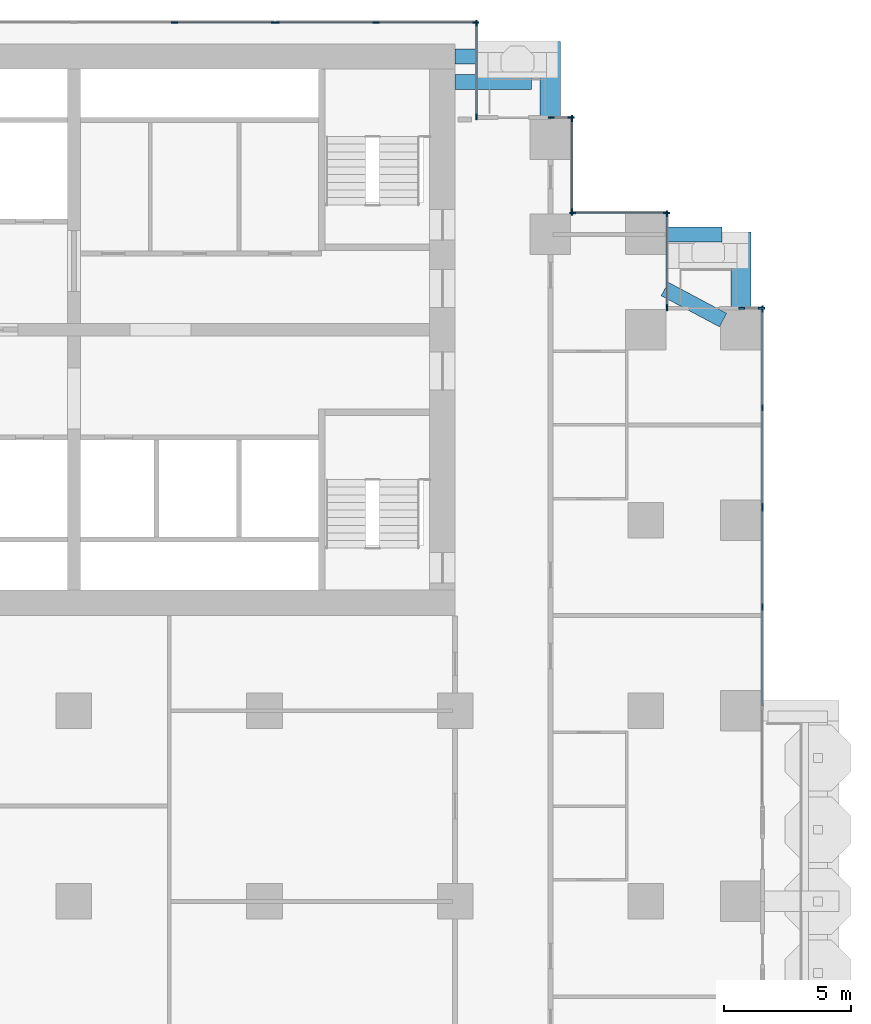
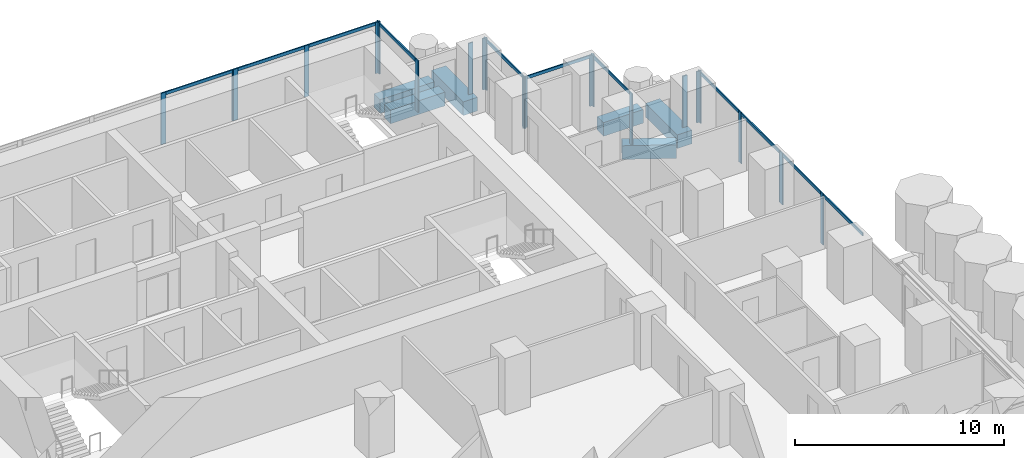
# One storey, part 5 of 17: 33 members, 6 beams, 10 elements without a shape of their own.
"""IFC4 building model written with IfcOpenShell, lengths in metres."""

from ifc_helpers import new_model, si_unit, direction, frame, origin, origin_2d, place, context, subcontext, project, spatial, rectangle, extrude, material, material_profile, profile_set, type_object, element, aggregate, save


model = new_model("IFC4")

# Units and contexts
model_context = context("Model", 3, precision=1e-05, world=origin(), true_north=direction((0.0, 1.0)))
body_context = subcontext(model_context, "Body", "Model", "MODEL_VIEW")
ifc_project = project(units=[si_unit("LENGTHUNIT", "METRE"), si_unit("AREAUNIT", "SQUARE_METRE"), si_unit("VOLUMEUNIT", "CUBIC_METRE"), si_unit("PLANEANGLEUNIT", "RADIAN"), si_unit("MASSUNIT", "GRAM", prefix="KILO")], contexts=[model_context])

# Site, building, storey
site_placement = place(None, origin())
site = spatial("IfcSite", under=ifc_project, at=site_placement, CompositionType="ELEMENT")
building_placement = place(site_placement, origin())
building = spatial("IfcBuilding", under=site, at=building_placement, Name="Pilkhan Gate Tower", CompositionType="ELEMENT")
storey_placement = place(building_placement, frame((0.0, 0.0, 49.39990234375)))
storey = spatial("IfcBuildingStorey", under=building, at=storey_placement, Name="L09", CompositionType="ELEMENT", Elevation=49.39990234375)

# Beams
ifc_material_1 = material(Name="Concrete C50/60", Category="concrete")
ifc_material_profile_1 = material_profile(ifc_material_1, rectangle(XDim=0.60009765625, YDim=0.800048828125, at=origin_2d()), Name="RC 600x800")
ifc_profile_set_1 = profile_set([ifc_material_profile_1], Name="Concrete C50/60")
beam_type_1 = type_object("IfcBeamType", Name="Cantilever beam CB1 RC 600x800 C50/60", PredefinedType="BEAM", material=ifc_profile_set_1)
for number, where, z_axis, x_axis, name in (
    (1, (90.0, 93.25, -0.699951171875), (1.0, 0.0, 0.0), (0.0, 1.0, 0.0), "Balcony beam NE.2 L09"),
    (2, (90.0, 92.25, -0.699951171875), (1.0, 0.0, 0.0), (0.0, 1.0, 0.0), "Balcony beam NE.3 L09"),
):
    element("IfcBeam", number, at=place(storey_placement, frame(where, z_axis=z_axis, x_axis=x_axis)), inside=storey, type_object=beam_type_1, Name=name, PredefinedType="BEAM", context=body_context, shape_type="SweptSolid", body=[
        extrude(rectangle(XDim=0.60009765625, YDim=0.800048828125, at=origin_2d()), origin(), (0.0, 0.0, 1.0), 3.0),
    ])
beam_1_placement = place(storey_placement, frame((98.300048828125, 86.25, -0.699951171875), z_axis=(1.0, 0.0, 0.0), x_axis=(0.0, 1.0, 0.0)))
element("IfcBeam", 3, at=beam_1_placement, inside=storey, type_object=beam_type_1, Name="Balcony beam NE2.2 L09", PredefinedType="BEAM", context=body_context, shape_type="SweptSolid", body=[
    extrude(rectangle(XDim=0.60009765625, YDim=0.800048828125, at=origin_2d()), origin(), (0.0, 0.0, 1.0), 2.199951171875),
])
beam_2_placement = place(storey_placement, frame((100.544189453125, 82.87646484375, -0.699951171875), z_axis=(-0.882342544151, 0.470607729199, 0.0), x_axis=(-0.470607729199, -0.882342544151, 0.0)))
element("IfcBeam", 4, at=beam_2_placement, inside=storey, type_object=beam_type_1, Name="Balcony beam NE2.3 L09", PredefinedType="BEAM", context=body_context, shape_type="SweptSolid", body=[
    extrude(rectangle(XDim=0.60009765625, YDim=0.800048828125, at=origin_2d()), origin(), (0.0, 0.0, 1.0), 2.60009765625),
])
ifc_material_profile_2 = material_profile(ifc_material_1, rectangle(XDim=0.800048828125, YDim=0.800048828125, at=origin_2d()), Name="RC 800x800")
ifc_profile_set_2 = profile_set([ifc_material_profile_2], Name="Concrete C50/60")
beam_type_2 = type_object("IfcBeamType", Name="Cantilever beam CB2 RC 800x800 C50/60", PredefinedType="BEAM", material=ifc_profile_set_2)
for number, where, z_axis, x_axis, name in (
    (5, (93.75, 90.800048828125, -0.699951171875), (0.0, 1.0, 0.0), (-1.0, 0.0, 0.0), "Balcony beam NE.1 L09"),
    (6, (101.25, 83.300048828125, -0.699951171875), (0.0, 1.0, 0.0), (-1.0, 0.0, 0.0), "Balcony beam NE2.1 L09"),
):
    element("IfcBeam", number, at=place(storey_placement, frame(where, z_axis=z_axis, x_axis=x_axis)), inside=storey, type_object=beam_type_2, Name=name, PredefinedType="BEAM", context=body_context, shape_type="SweptSolid", body=[
        extrude(rectangle(XDim=0.800048828125, YDim=0.800048828125, at=origin_2d()), origin(), (0.0, 0.0, 1.0), 3.050048828125),
    ])

# Curtain wall, members
ifc_material_2 = material(Name="Pale anodised aluminium, clear low-iron double glazing", Category="aluminium")
curtain_wall_type = type_object("IfcCurtainWallType", Name="Hotel unitised curtain wall CW-H", PredefinedType="USERDEFINED", material=ifc_material_2)
curtain_wall_1_placement = place(storey_placement, origin())
curtain_wall_1 = element("IfcCurtainWall", 7, at=curtain_wall_1_placement, inside=storey, type_object=curtain_wall_type, Name="Hotel unitised curtain wall CW-H L09 E", ObjectType="UNITISED CURTAIN WALL", PredefinedType="USERDEFINED")
ifc_material_3 = material(Name="Pale anodised aluminium", Category="aluminium")
ifc_material_profile_3 = material_profile(ifc_material_3, rectangle(XDim=0.06494140625, YDim=0.25, at=origin_2d()), Name="Mullion 250x65")
ifc_profile_set_3 = profile_set([ifc_material_profile_3], Name="Pale anodised aluminium")
member_type_1 = type_object("IfcMemberType", Name="Mullion CW-H 250x65", PredefinedType="MULLION", material=ifc_profile_set_3)
member_1_placement = place(storey_placement, frame((102.094970703125, 71.587890625, 0.0), z_axis=(0.0, 0.0, 1.0), x_axis=(-1.0, 0.0, 0.0)))
member_1 = element("IfcMember", 8, at=member_1_placement, type_object=member_type_1, Name="CW-H mullion 3", PredefinedType="MULLION", context=body_context, shape_type="SweptSolid", body=[
    extrude(rectangle(XDim=0.06494140625, YDim=0.25, at=origin_2d()), origin(), (0.0, 0.0, 1.0), 3.0),
])
member_2_placement = place(storey_placement, frame((102.094970703125, 75.474609375, 0.0), z_axis=(0.0, 0.0, 1.0), x_axis=(-1.0, 0.0, 0.0)))
member_2 = element("IfcMember", 9, at=member_2_placement, type_object=member_type_1, Name="CW-H mullion 4", PredefinedType="MULLION", context=body_context, shape_type="SweptSolid", body=[
    extrude(rectangle(XDim=0.06494140625, YDim=0.25, at=origin_2d()), origin(), (0.0, 0.0, 1.0), 3.0),
])

curtain_wall_2_placement = place(storey_placement, origin())
curtain_wall_2 = element("IfcCurtainWall", 10, at=curtain_wall_2_placement, inside=storey, type_object=curtain_wall_type, Name="Hotel unitised curtain wall CW-H L09 E", ObjectType="UNITISED CURTAIN WALL", PredefinedType="USERDEFINED")
member_3_placement = place(storey_placement, frame((102.094970703125, 75.53955078125, 0.0), z_axis=(0.0, 0.0, 1.0), x_axis=(-1.0, 0.0, 0.0)))
member_3 = element("IfcMember", 11, at=member_3_placement, type_object=member_type_1, Name="CW-H mullion 1", PredefinedType="MULLION", context=body_context, shape_type="SweptSolid", body=[
    extrude(rectangle(XDim=0.06494140625, YDim=0.25, at=origin_2d()), origin(), (0.0, 0.0, 1.0), 3.0),
])
member_4_placement = place(storey_placement, frame((102.094970703125, 79.426025390625, 0.0), z_axis=(0.0, 0.0, 1.0), x_axis=(-1.0, 0.0, 0.0)))
member_4 = element("IfcMember", 12, at=member_4_placement, type_object=member_type_1, Name="CW-H mullion 2", PredefinedType="MULLION", context=body_context, shape_type="SweptSolid", body=[
    extrude(rectangle(XDim=0.06494140625, YDim=0.25, at=origin_2d()), origin(), (0.0, 0.0, 1.0), 3.0),
])
member_5_placement = place(storey_placement, frame((102.094970703125, 83.3125, 0.0), z_axis=(0.0, 0.0, 1.0), x_axis=(-1.0, 0.0, 0.0)))
member_5 = element("IfcMember", 13, at=member_5_placement, type_object=member_type_1, Name="CW-H mullion 3", PredefinedType="MULLION", context=body_context, shape_type="SweptSolid", body=[
    extrude(rectangle(XDim=0.06494140625, YDim=0.25, at=origin_2d()), origin(), (0.0, 0.0, 1.0), 3.0),
])

curtain_wall_3_placement = place(storey_placement, origin())
curtain_wall_3 = element("IfcCurtainWall", 14, at=curtain_wall_3_placement, inside=storey, type_object=curtain_wall_type, Name="Hotel unitised curtain wall CW-H L09 N", ObjectType="UNITISED CURTAIN WALL", PredefinedType="USERDEFINED")
member_6_placement = place(storey_placement, frame((101.282470703125, 83.344970703125, 0.0), z_axis=(0.0, 0.0, 1.0), x_axis=(0.0, 1.0, 0.0)))
member_6 = element("IfcMember", 15, at=member_6_placement, type_object=member_type_1, Name="CW-H mullion 1", PredefinedType="MULLION", context=body_context, shape_type="SweptSolid", body=[
    extrude(rectangle(XDim=0.06494140625, YDim=0.25, at=origin_2d()), origin(), (0.0, 0.0, 1.0), 3.0),
])
member_7_placement = place(storey_placement, frame((102.0625, 83.344970703125, 0.0), z_axis=(0.0, 0.0, 1.0), x_axis=(0.0, 1.0, 0.0)))
member_7 = element("IfcMember", 16, at=member_7_placement, type_object=member_type_1, Name="CW-H mullion 2", PredefinedType="MULLION", context=body_context, shape_type="SweptSolid", body=[
    extrude(rectangle(XDim=0.06494140625, YDim=0.25, at=origin_2d()), origin(), (0.0, 0.0, 1.0), 3.0),
])
aggregate(curtain_wall_3, [member_6, member_7])

curtain_wall_4_placement = place(storey_placement, origin())
curtain_wall_4 = element("IfcCurtainWall", 17, at=curtain_wall_4_placement, inside=storey, type_object=curtain_wall_type, Name="Hotel unitised curtain wall CW-H L09 E", ObjectType="UNITISED CURTAIN WALL", PredefinedType="USERDEFINED")
member_8_placement = place(storey_placement, frame((98.344970703125, 83.37744140625, 0.0), z_axis=(0.0, 0.0, 1.0), x_axis=(-1.0, 0.0, 0.0)))
member_8 = element("IfcMember", 18, at=member_8_placement, type_object=member_type_1, Name="CW-H mullion 1", PredefinedType="MULLION", context=body_context, shape_type="SweptSolid", body=[
    extrude(rectangle(XDim=0.06494140625, YDim=0.25, at=origin_2d()), origin(), (0.0, 0.0, 1.0), 3.0),
])
member_9_placement = place(storey_placement, frame((98.344970703125, 87.0625, 0.0), z_axis=(0.0, 0.0, 1.0), x_axis=(-1.0, 0.0, 0.0)))
member_9 = element("IfcMember", 19, at=member_9_placement, type_object=member_type_1, Name="CW-H mullion 2", PredefinedType="MULLION", context=body_context, shape_type="SweptSolid", body=[
    extrude(rectangle(XDim=0.06494140625, YDim=0.25, at=origin_2d()), origin(), (0.0, 0.0, 1.0), 3.0),
])

curtain_wall_5_placement = place(storey_placement, origin())
curtain_wall_5 = element("IfcCurtainWall", 20, at=curtain_wall_5_placement, inside=storey, type_object=curtain_wall_type, Name="Hotel unitised curtain wall CW-H L09 N", ObjectType="UNITISED CURTAIN WALL", PredefinedType="USERDEFINED")
member_10_placement = place(storey_placement, frame((94.62744140625, 87.094970703125, 0.0), z_axis=(0.0, 0.0, 1.0), x_axis=(0.0, 1.0, 0.0)))
member_10 = element("IfcMember", 21, at=member_10_placement, type_object=member_type_1, Name="CW-H mullion 1", PredefinedType="MULLION", context=body_context, shape_type="SweptSolid", body=[
    extrude(rectangle(XDim=0.06494140625, YDim=0.25, at=origin_2d()), origin(), (0.0, 0.0, 1.0), 3.0),
])
member_11_placement = place(storey_placement, frame((98.3125, 87.094970703125, 0.0), z_axis=(0.0, 0.0, 1.0), x_axis=(0.0, 1.0, 0.0)))
member_11 = element("IfcMember", 22, at=member_11_placement, type_object=member_type_1, Name="CW-H mullion 2", PredefinedType="MULLION", context=body_context, shape_type="SweptSolid", body=[
    extrude(rectangle(XDim=0.06494140625, YDim=0.25, at=origin_2d()), origin(), (0.0, 0.0, 1.0), 3.0),
])

curtain_wall_6_placement = place(storey_placement, origin())
curtain_wall_6 = element("IfcCurtainWall", 23, at=curtain_wall_6_placement, inside=storey, type_object=curtain_wall_type, Name="Hotel unitised curtain wall CW-H L09 E", ObjectType="UNITISED CURTAIN WALL", PredefinedType="USERDEFINED")
member_12_placement = place(storey_placement, frame((94.594970703125, 87.12744140625, 0.0), z_axis=(0.0, 0.0, 1.0), x_axis=(-1.0, 0.0, 0.0)))
member_12 = element("IfcMember", 24, at=member_12_placement, type_object=member_type_1, Name="CW-H mullion 1", PredefinedType="MULLION", context=body_context, shape_type="SweptSolid", body=[
    extrude(rectangle(XDim=0.06494140625, YDim=0.25, at=origin_2d()), origin(), (0.0, 0.0, 1.0), 3.0),
])
member_13_placement = place(storey_placement, frame((94.594970703125, 90.8125, 0.0), z_axis=(0.0, 0.0, 1.0), x_axis=(-1.0, 0.0, 0.0)))
member_13 = element("IfcMember", 25, at=member_13_placement, type_object=member_type_1, Name="CW-H mullion 2", PredefinedType="MULLION", context=body_context, shape_type="SweptSolid", body=[
    extrude(rectangle(XDim=0.06494140625, YDim=0.25, at=origin_2d()), origin(), (0.0, 0.0, 1.0), 3.0),
])

curtain_wall_7_placement = place(storey_placement, origin())
curtain_wall_7 = element("IfcCurtainWall", 26, at=curtain_wall_7_placement, inside=storey, type_object=curtain_wall_type, Name="Hotel unitised curtain wall CW-H L09 N", ObjectType="UNITISED CURTAIN WALL", PredefinedType="USERDEFINED")
member_14_placement = place(storey_placement, frame((93.782470703125, 90.844970703125, 0.0), z_axis=(0.0, 0.0, 1.0), x_axis=(0.0, 1.0, 0.0)))
member_14 = element("IfcMember", 27, at=member_14_placement, type_object=member_type_1, Name="CW-H mullion 1", PredefinedType="MULLION", context=body_context, shape_type="SweptSolid", body=[
    extrude(rectangle(XDim=0.06494140625, YDim=0.25, at=origin_2d()), origin(), (0.0, 0.0, 1.0), 3.0),
])
member_15_placement = place(storey_placement, frame((94.5625, 90.844970703125, 0.0), z_axis=(0.0, 0.0, 1.0), x_axis=(0.0, 1.0, 0.0)))
member_15 = element("IfcMember", 28, at=member_15_placement, type_object=member_type_1, Name="CW-H mullion 2", PredefinedType="MULLION", context=body_context, shape_type="SweptSolid", body=[
    extrude(rectangle(XDim=0.06494140625, YDim=0.25, at=origin_2d()), origin(), (0.0, 0.0, 1.0), 3.0),
])
aggregate(curtain_wall_7, [member_14, member_15])

curtain_wall_8_placement = place(storey_placement, origin())
curtain_wall_8 = element("IfcCurtainWall", 29, at=curtain_wall_8_placement, inside=storey, type_object=curtain_wall_type, Name="Hotel unitised curtain wall CW-H L09 E", ObjectType="UNITISED CURTAIN WALL", PredefinedType="USERDEFINED")
member_16_placement = place(storey_placement, frame((90.844970703125, 90.87744140625, 0.0), z_axis=(0.0, 0.0, 1.0), x_axis=(-1.0, 0.0, 0.0)))
member_16 = element("IfcMember", 30, at=member_16_placement, type_object=member_type_1, Name="CW-H mullion 1", PredefinedType="MULLION", context=body_context, shape_type="SweptSolid", body=[
    extrude(rectangle(XDim=0.06494140625, YDim=0.25, at=origin_2d()), origin(), (0.0, 0.0, 1.0), 3.0),
])
member_17_placement = place(storey_placement, frame((90.844970703125, 94.5625, 0.0), z_axis=(0.0, 0.0, 1.0), x_axis=(-1.0, 0.0, 0.0)))
member_17 = element("IfcMember", 31, at=member_17_placement, type_object=member_type_1, Name="CW-H mullion 2", PredefinedType="MULLION", context=body_context, shape_type="SweptSolid", body=[
    extrude(rectangle(XDim=0.06494140625, YDim=0.25, at=origin_2d()), origin(), (0.0, 0.0, 1.0), 3.0),
])

curtain_wall_9_placement = place(storey_placement, origin())
curtain_wall_9 = element("IfcCurtainWall", 32, at=curtain_wall_9_placement, inside=storey, type_object=curtain_wall_type, Name="Hotel unitised curtain wall CW-H L09 N", ObjectType="UNITISED CURTAIN WALL", PredefinedType="USERDEFINED")
member_18_placement = place(storey_placement, frame((78.961181640625, 94.594970703125, 0.0), z_axis=(0.0, 0.0, 1.0), x_axis=(0.0, 1.0, 0.0)))
member_18 = element("IfcMember", 33, at=member_18_placement, type_object=member_type_1, Name="CW-H mullion 3", PredefinedType="MULLION", context=body_context, shape_type="SweptSolid", body=[
    extrude(rectangle(XDim=0.06494140625, YDim=0.25, at=origin_2d()), origin(), (0.0, 0.0, 1.0), 3.0),
])
member_19_placement = place(storey_placement, frame((82.889892578125, 94.594970703125, 0.0), z_axis=(0.0, 0.0, 1.0), x_axis=(0.0, 1.0, 0.0)))
member_19 = element("IfcMember", 34, at=member_19_placement, type_object=member_type_1, Name="CW-H mullion 4", PredefinedType="MULLION", context=body_context, shape_type="SweptSolid", body=[
    extrude(rectangle(XDim=0.06494140625, YDim=0.25, at=origin_2d()), origin(), (0.0, 0.0, 1.0), 3.0),
])

curtain_wall_10_placement = place(storey_placement, origin())
curtain_wall_10 = element("IfcCurtainWall", 35, at=curtain_wall_10_placement, inside=storey, type_object=curtain_wall_type, Name="Hotel unitised curtain wall CW-H L09 N", ObjectType="UNITISED CURTAIN WALL", PredefinedType="USERDEFINED")
member_20_placement = place(storey_placement, frame((82.955078125, 94.594970703125, 0.0), z_axis=(0.0, 0.0, 1.0), x_axis=(0.0, 1.0, 0.0)))
member_20 = element("IfcMember", 36, at=member_20_placement, type_object=member_type_1, Name="CW-H mullion 1", PredefinedType="MULLION", context=body_context, shape_type="SweptSolid", body=[
    extrude(rectangle(XDim=0.06494140625, YDim=0.25, at=origin_2d()), origin(), (0.0, 0.0, 1.0), 3.0),
])
member_21_placement = place(storey_placement, frame((86.8837890625, 94.594970703125, 0.0), z_axis=(0.0, 0.0, 1.0), x_axis=(0.0, 1.0, 0.0)))
member_21 = element("IfcMember", 37, at=member_21_placement, type_object=member_type_1, Name="CW-H mullion 2", PredefinedType="MULLION", context=body_context, shape_type="SweptSolid", body=[
    extrude(rectangle(XDim=0.06494140625, YDim=0.25, at=origin_2d()), origin(), (0.0, 0.0, 1.0), 3.0),
])
member_22_placement = place(storey_placement, frame((90.8125, 94.594970703125, 0.0), z_axis=(0.0, 0.0, 1.0), x_axis=(0.0, 1.0, 0.0)))
member_22 = element("IfcMember", 38, at=member_22_placement, type_object=member_type_1, Name="CW-H mullion 3", PredefinedType="MULLION", context=body_context, shape_type="SweptSolid", body=[
    extrude(rectangle(XDim=0.06494140625, YDim=0.25, at=origin_2d()), origin(), (0.0, 0.0, 1.0), 3.0),
])

# Member
ifc_material_profile_4 = material_profile(ifc_material_3, rectangle(XDim=0.06494140625, YDim=0.179931640625, at=origin_2d()), Name="Transom 180x65")
ifc_profile_set_4 = profile_set([ifc_material_profile_4], Name="Pale anodised aluminium")
member_type_2 = type_object("IfcMemberType", Name="Transom CW-H 180x65", PredefinedType="USERDEFINED", material=ifc_profile_set_4)
member_23_placement = place(storey_placement, frame((102.094970703125, 67.701416015625, 2.91015625), z_axis=(0.0, 1.0, 0.0), x_axis=(-1.0, 0.0, 0.0)))
member_23 = element("IfcMember", 39, at=member_23_placement, type_object=member_type_2, Name="CW-H transom 2", ObjectType="TRANSOM", PredefinedType="USERDEFINED", context=body_context, shape_type="SweptSolid", body=[
    extrude(rectangle(XDim=0.06494140625, YDim=0.179931640625, at=origin_2d()), origin(), (0.0, 0.0, 1.0), 3.85400390625),
])

member_24_placement = place(storey_placement, frame((102.094970703125, 71.62060546875, 2.91015625), z_axis=(0.0, 1.0, 0.0), x_axis=(-1.0, 0.0, 0.0)))
member_24 = element("IfcMember", 40, at=member_24_placement, type_object=member_type_2, Name="CW-H transom 3", ObjectType="TRANSOM", PredefinedType="USERDEFINED", context=body_context, shape_type="SweptSolid", body=[
    extrude(rectangle(XDim=0.06494140625, YDim=0.179931640625, at=origin_2d()), origin(), (0.0, 0.0, 1.0), 3.8212890625),
])

aggregate(curtain_wall_1, [member_1, member_2, member_23, member_24])

member_25_placement = place(storey_placement, frame((102.094970703125, 75.572021484375, 2.91015625), z_axis=(0.0, 1.0, 0.0), x_axis=(-1.0, 0.0, 0.0)))
member_25 = element("IfcMember", 41, at=member_25_placement, type_object=member_type_2, Name="CW-H transom 1", ObjectType="TRANSOM", PredefinedType="USERDEFINED", context=body_context, shape_type="SweptSolid", body=[
    extrude(rectangle(XDim=0.06494140625, YDim=0.179931640625, at=origin_2d()), origin(), (0.0, 0.0, 1.0), 3.821533203125),
])

member_26_placement = place(storey_placement, frame((102.094970703125, 79.45849609375, 2.91015625), z_axis=(0.0, 1.0, 0.0), x_axis=(-1.0, 0.0, 0.0)))
member_26 = element("IfcMember", 42, at=member_26_placement, type_object=member_type_2, Name="CW-H transom 2", ObjectType="TRANSOM", PredefinedType="USERDEFINED", context=body_context, shape_type="SweptSolid", body=[
    extrude(rectangle(XDim=0.06494140625, YDim=0.179931640625, at=origin_2d()), origin(), (0.0, 0.0, 1.0), 3.821533203125),
])

aggregate(curtain_wall_2, [member_3, member_4, member_5, member_25, member_26])

member_27_placement = place(storey_placement, frame((98.344970703125, 83.409912109375, 2.91015625), z_axis=(0.0, 1.0, 0.0), x_axis=(-1.0, 0.0, 0.0)))
member_27 = element("IfcMember", 43, at=member_27_placement, type_object=member_type_2, Name="CW-H transom 1", ObjectType="TRANSOM", PredefinedType="USERDEFINED", context=body_context, shape_type="SweptSolid", body=[
    extrude(rectangle(XDim=0.06494140625, YDim=0.179931640625, at=origin_2d()), origin(), (0.0, 0.0, 1.0), 3.6201171875),
])

aggregate(curtain_wall_4, [member_8, member_9, member_27])

member_28_placement = place(storey_placement, frame((94.659912109375, 87.094970703125, 2.91015625), z_axis=(1.0, 0.0, 0.0), x_axis=(0.0, 1.0, 0.0)))
member_28 = element("IfcMember", 44, at=member_28_placement, type_object=member_type_2, Name="CW-H transom 1", ObjectType="TRANSOM", PredefinedType="USERDEFINED", context=body_context, shape_type="SweptSolid", body=[
    extrude(rectangle(XDim=0.06494140625, YDim=0.179931640625, at=origin_2d()), origin(), (0.0, 0.0, 1.0), 3.6201171875),
])

aggregate(curtain_wall_5, [member_10, member_11, member_28])

member_29_placement = place(storey_placement, frame((94.594970703125, 87.159912109375, 2.91015625), z_axis=(0.0, 1.0, 0.0), x_axis=(-1.0, 0.0, 0.0)))
member_29 = element("IfcMember", 45, at=member_29_placement, type_object=member_type_2, Name="CW-H transom 1", ObjectType="TRANSOM", PredefinedType="USERDEFINED", context=body_context, shape_type="SweptSolid", body=[
    extrude(rectangle(XDim=0.06494140625, YDim=0.179931640625, at=origin_2d()), origin(), (0.0, 0.0, 1.0), 3.6201171875),
])

aggregate(curtain_wall_6, [member_12, member_13, member_29])

member_30_placement = place(storey_placement, frame((90.844970703125, 90.909912109375, 2.91015625), z_axis=(0.0, 1.0, 0.0), x_axis=(-1.0, 0.0, 0.0)))
member_30 = element("IfcMember", 46, at=member_30_placement, type_object=member_type_2, Name="CW-H transom 1", ObjectType="TRANSOM", PredefinedType="USERDEFINED", context=body_context, shape_type="SweptSolid", body=[
    extrude(rectangle(XDim=0.06494140625, YDim=0.179931640625, at=origin_2d()), origin(), (0.0, 0.0, 1.0), 3.6201171875),
])

aggregate(curtain_wall_8, [member_16, member_17, member_30])

member_31_placement = place(storey_placement, frame((78.99365234375, 94.594970703125, 2.91015625), z_axis=(1.0, 0.0, 0.0), x_axis=(0.0, 1.0, 0.0)))
member_31 = element("IfcMember", 47, at=member_31_placement, type_object=member_type_2, Name="CW-H transom 3", ObjectType="TRANSOM", PredefinedType="USERDEFINED", context=body_context, shape_type="SweptSolid", body=[
    extrude(rectangle(XDim=0.06494140625, YDim=0.179931640625, at=origin_2d()), origin(), (0.0, 0.0, 1.0), 3.86376953125),
])

aggregate(curtain_wall_9, [member_18, member_19, member_31])

member_32_placement = place(storey_placement, frame((82.987548828125, 94.594970703125, 2.91015625), z_axis=(1.0, 0.0, 0.0), x_axis=(0.0, 1.0, 0.0)))
member_32 = element("IfcMember", 48, at=member_32_placement, type_object=member_type_2, Name="CW-H transom 1", ObjectType="TRANSOM", PredefinedType="USERDEFINED", context=body_context, shape_type="SweptSolid", body=[
    extrude(rectangle(XDim=0.06494140625, YDim=0.179931640625, at=origin_2d()), origin(), (0.0, 0.0, 1.0), 3.86376953125),
])

member_33_placement = place(storey_placement, frame((86.916259765625, 94.594970703125, 2.91015625), z_axis=(1.0, 0.0, 0.0), x_axis=(0.0, 1.0, 0.0)))
member_33 = element("IfcMember", 49, at=member_33_placement, type_object=member_type_2, Name="CW-H transom 2", ObjectType="TRANSOM", PredefinedType="USERDEFINED", context=body_context, shape_type="SweptSolid", body=[
    extrude(rectangle(XDim=0.06494140625, YDim=0.179931640625, at=origin_2d()), origin(), (0.0, 0.0, 1.0), 3.86376953125),
])

aggregate(curtain_wall_10, [member_20, member_21, member_22, member_32, member_33])

save(model, "model.ifc")
